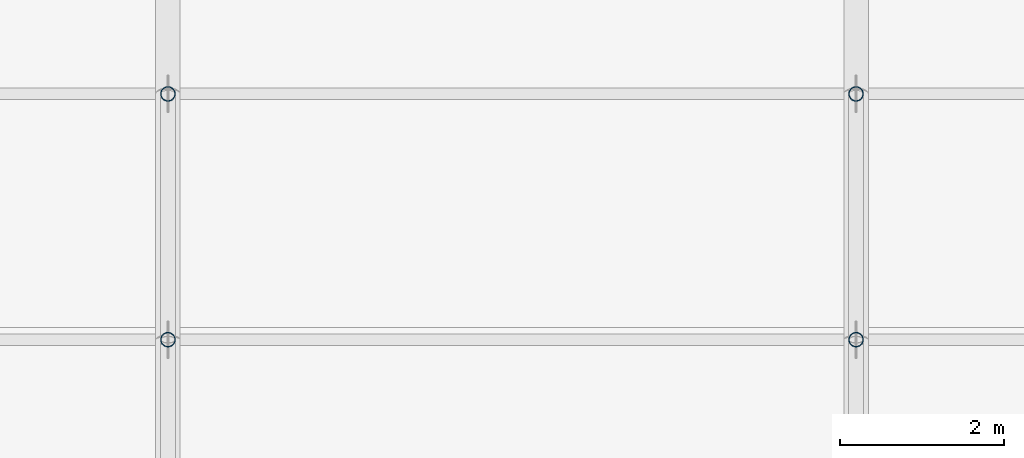
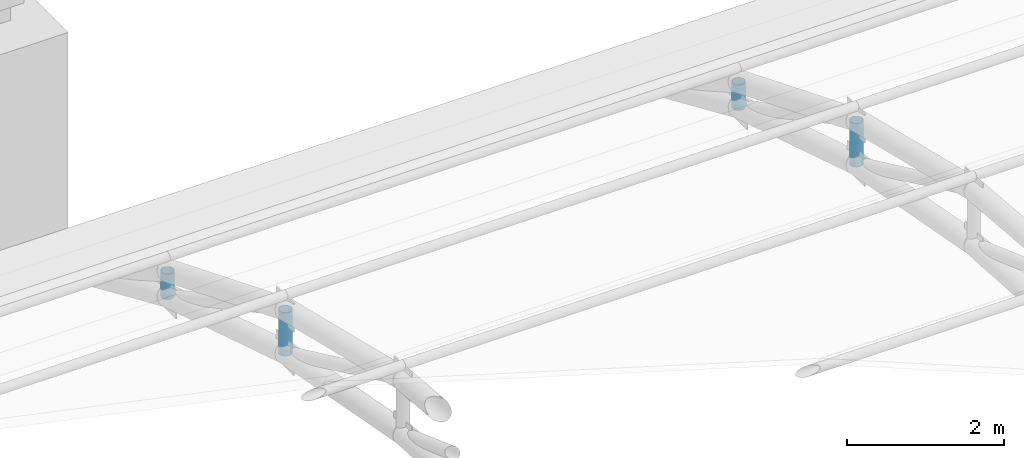
# One storey, part 94 of 163: 4 members.
"""IFC4 building model written with IfcOpenShell, lengths in metres."""

from ifc_helpers import new_model, si_unit, direction, frame, origin, origin_2d, place, context, subcontext, project, spatial, hollow_circle, extrude, material, material_profile, profile_set, type_object, element, save


model = new_model("IFC4")

# Units and contexts
model_context = context("Model", 3, precision=1e-05, world=origin(), true_north=direction((0.0, 1.0)))
body_context = subcontext(model_context, "Body", "Model", "MODEL_VIEW")
ifc_project = project(units=[si_unit("LENGTHUNIT", "METRE"), si_unit("AREAUNIT", "SQUARE_METRE"), si_unit("VOLUMEUNIT", "CUBIC_METRE"), si_unit("PLANEANGLEUNIT", "RADIAN"), si_unit("MASSUNIT", "GRAM", prefix="KILO")], contexts=[model_context])

# Site, building, storey
site_placement = place(None, origin())
site = spatial("IfcSite", under=ifc_project, at=site_placement, CompositionType="ELEMENT")
building_placement = place(site_placement, origin())
building = spatial("IfcBuilding", under=site, at=building_placement, Name="Rain Tree Exposition and Congress Centre", CompositionType="ELEMENT")
storey_placement = place(building_placement, frame((0.0, 0.0, 10.5)))
storey = spatial("IfcBuildingStorey", under=building, at=storey_placement, Name="L02", CompositionType="ELEMENT", Elevation=10.5)

# Members
ifc_material = material(Name="Steel S355J2H", Category="steel")
ifc_material_profile = material_profile(ifc_material, hollow_circle(Radius=0.090087890625, WallThickness=0.008056640625, at=origin_2d()), Name="CHS 180x8")
ifc_profile_set = profile_set([ifc_material_profile], Name="Steel S355J2H")
member_type = type_object("IfcMemberType", Name="Steel post member CHS 180x8", PredefinedType="POST", material=ifc_profile_set)
member_1_placement = place(storey_placement, frame((243.60009765625, 93.60009765625, 2.3798828125), z_axis=(0.0, 0.0, 1.0), x_axis=(1.0, 0.0, 0.0)))
element("IfcMember", 1, at=member_1_placement, inside=storey, type_object=member_type, Name="Roof truss 30 post 6", PredefinedType="POST", context=body_context, shape_type="SweptSolid", body=[
    extrude(hollow_circle(Radius=0.090087890625, WallThickness=0.008056640625, at=origin_2d()), origin(), (0.0, 0.0, 1.0), 0.675048828125),
])
member_2_placement = place(storey_placement, frame((243.60009765625, 96.60009765625, 1.4423828125), z_axis=(0.0, 0.0, 1.0), x_axis=(1.0, 0.0, 0.0)))
element("IfcMember", 2, at=member_2_placement, inside=storey, type_object=member_type, Name="Roof truss 30 post 7", PredefinedType="POST", context=body_context, shape_type="SweptSolid", body=[
    extrude(hollow_circle(Radius=0.090087890625, WallThickness=0.008056640625, at=origin_2d()), origin(), (0.0, 0.0, 1.0), 0.393798828125),
])
member_3_placement = place(storey_placement, frame((252.0, 93.60009765625, 2.3798828125), z_axis=(0.0, 0.0, 1.0), x_axis=(1.0, 0.0, 0.0)))
element("IfcMember", 3, at=member_3_placement, inside=storey, type_object=member_type, Name="Roof truss 31 post 6", PredefinedType="POST", context=body_context, shape_type="SweptSolid", body=[
    extrude(hollow_circle(Radius=0.090087890625, WallThickness=0.008056640625, at=origin_2d()), origin(), (0.0, 0.0, 1.0), 0.675048828125),
])
member_4_placement = place(storey_placement, frame((252.0, 96.60009765625, 1.4423828125), z_axis=(0.0, 0.0, 1.0), x_axis=(1.0, 0.0, 0.0)))
element("IfcMember", 4, at=member_4_placement, inside=storey, type_object=member_type, Name="Roof truss 31 post 7", PredefinedType="POST", context=body_context, shape_type="SweptSolid", body=[
    extrude(hollow_circle(Radius=0.090087890625, WallThickness=0.008056640625, at=origin_2d()), origin(), (0.0, 0.0, 1.0), 0.393798828125),
])

save(model, "model.ifc")
